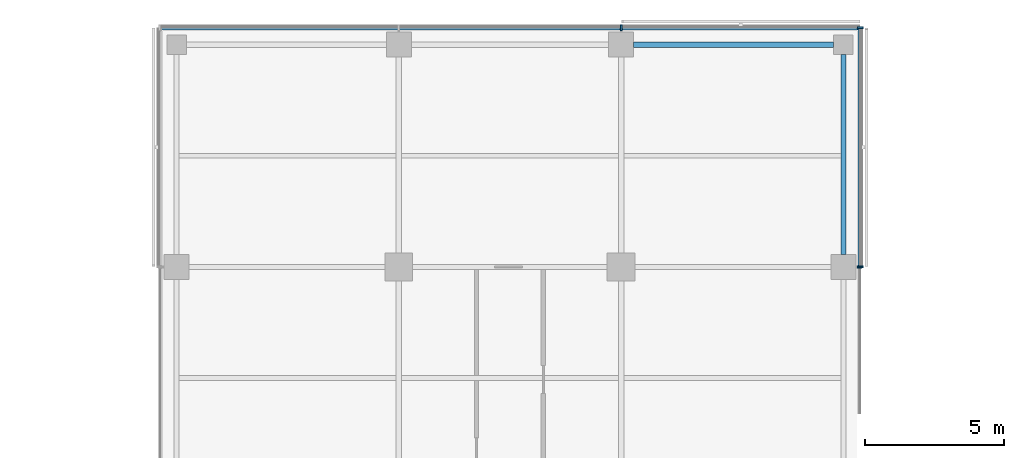
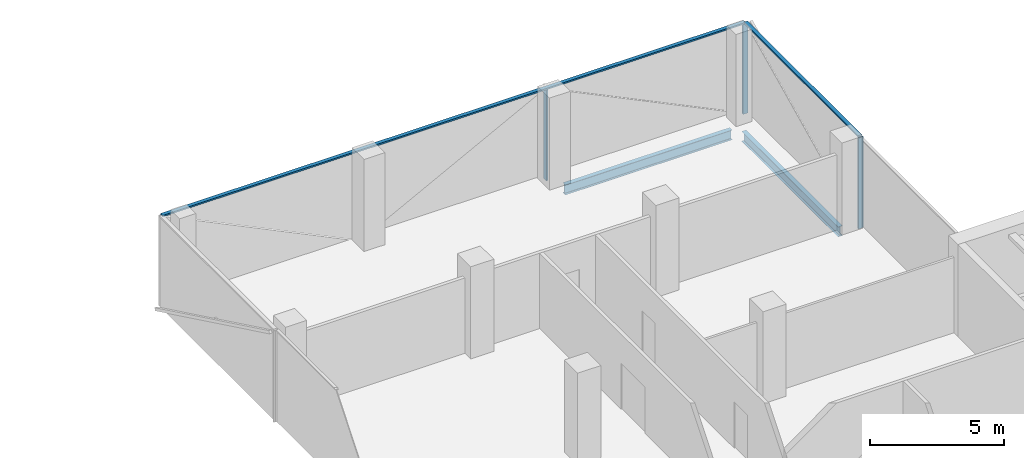
# One storey, part 10 of 22: 6 members, 2 beams, 3 elements without a shape of their own.
"""IFC4 building model written with IfcOpenShell, lengths in metres."""

import ifcopenshell
import ifcopenshell.guid

model = None  # the IFC model being written
_history = None  # IfcOwnerHistory: only IFC2X3 demands one
_inside = {}  # id of a spatial element -> (the spatial element, [elements in it])
_under = {}  # id of a project, library or spatial element -> (it, [spatial elements below it])
_declared = {}  # id of a project -> (the project, [libraries it declares])
_typed = {}  # id of a type object -> (the type object, [elements of that type])
_made_of = {}  # id of a material, layer set ... -> (it, [elements and type objects made of it])


def new_model(schema):
    """Start an empty IFC model of exactly this schema.

    Asked for "IFC4X3", IfcOpenShell would pick the latest addendum, in which some entities
    have other attributes; the version numbers below select the first issue.
    IFC2X3 requires an IfcOwnerHistory on every rooted entity: one is made here for all.
    """
    global model, _history
    if schema == "IFC4X3":
        model = ifcopenshell.file(schema_version=(4, 3, 0, 0))
    else:
        model = ifcopenshell.file(schema=schema)
    _inside.clear()
    _under.clear()
    _declared.clear()
    _typed.clear()
    _made_of.clear()
    _history = None
    if model.schema == "IFC2X3":
        org = make("IfcOrganization", Name="unknown")
        user = make(
            "IfcPersonAndOrganization",
            ThePerson=make("IfcPerson", FamilyName="unknown"),
            TheOrganization=org,
        )
        app = make(
            "IfcApplication",
            ApplicationDeveloper=org,
            Version="unknown",
            ApplicationFullName="unknown",
            ApplicationIdentifier="unknown",
        )
        _history = make(
            "IfcOwnerHistory",
            OwningUser=user,
            OwningApplication=app,
            ChangeAction="ADDED",
            CreationDate=0,
        )
    return model


def make(cls, **values):
    """One entity of the class cls with the attributes given. An attribute that is None is left unset."""
    return model.create_entity(
        cls, **{name: value for name, value in values.items() if value is not None}
    )


def rooted(cls, **values):
    """An entity with a GlobalId (a new one), such as an element, a storey or a relation."""
    return make(cls, GlobalId=ifcopenshell.guid.new(), OwnerHistory=_history, **values)


def si_unit(unit_type, name, prefix=None):
    """IfcSIUnit, for example si_unit("LENGTHUNIT", "METRE", prefix="MILLI")."""
    return make("IfcSIUnit", UnitType=unit_type, Prefix=prefix, Name=name)


def assignment(units):
    """IfcUnitAssignment: the units of a project."""
    return None if units is None else make("IfcUnitAssignment", Units=units)


def point(xyz):
    """IfcCartesianPoint."""
    return None if xyz is None else make("IfcCartesianPoint", Coordinates=xyz)


def direction(xyz):
    """IfcDirection."""
    return None if xyz is None else make("IfcDirection", DirectionRatios=xyz)


def frame(location, z_axis=None, x_axis=None):
    """IfcAxis2Placement3D, a coordinate frame: its origin and axes. An axis left out is left unset."""
    return make(
        "IfcAxis2Placement3D",
        Location=point(location),
        Axis=direction(z_axis),
        RefDirection=direction(x_axis),
    )


def frame_2d(location, x_axis=None):
    """IfcAxis2Placement2D, a coordinate frame in the plane: its origin and x axis."""
    return make(
        "IfcAxis2Placement2D", Location=point(location), RefDirection=direction(x_axis)
    )


def origin():
    """The frame at (0, 0, 0) with its axes left unset."""
    return frame((0.0, 0.0, 0.0))


def origin_2d():
    """The frame at (0, 0) in the plane with its x axis left unset."""
    return frame_2d((0.0, 0.0))


def place(relative_to, where):
    """IfcLocalPlacement: puts the frame where relative to a parent placement (None: the world)."""
    return make(
        "IfcLocalPlacement", PlacementRelTo=relative_to, RelativePlacement=where
    )


def context(
    kind, dimensions, precision=None, world=None, true_north=None, identifier=None
):
    """IfcGeometricRepresentationContext, for example the 3D "Model" context."""
    return make(
        "IfcGeometricRepresentationContext",
        ContextIdentifier=identifier,
        ContextType=kind,
        CoordinateSpaceDimension=dimensions,
        Precision=precision,
        WorldCoordinateSystem=world,
        TrueNorth=true_north,
    )


def subcontext(parent, identifier, kind, view, scale=None):
    """IfcGeometricRepresentationSubContext, for example "Body" below "Model"."""
    return make(
        "IfcGeometricRepresentationSubContext",
        ContextIdentifier=identifier,
        ContextType=kind,
        ParentContext=parent,
        TargetScale=scale,
        TargetView=view,
    )


def project(units=None, contexts=None):
    """IfcProject with its units and contexts."""
    return rooted(
        "IfcProject",
        Name="project",
        RepresentationContexts=contexts,
        UnitsInContext=assignment(units),
    )


def spatial(cls, under=None, at=None, **own):
    """A site, building, storey or space (cls), placed at a placement, below another one or the project."""
    s = rooted(cls, ObjectPlacement=at, **own)
    if under is not None:
        _under.setdefault(under.id(), (under, []))[1].append(s)
    return s


def profile(cls, at=None, kind="AREA", **sizes):
    """A parametric profile (cls). Its sizes go by their IFC names, for example OverallWidth=200.0."""
    return make(cls, ProfileType=kind, Position=at, **sizes)


def rectangle(**sizes):
    """IfcRectangleProfileDef."""
    return profile("IfcRectangleProfileDef", **sizes)


def i_section(**sizes):
    """IfcIShapeProfileDef."""
    return profile("IfcIShapeProfileDef", **sizes)


def extrude(swept, where, along, depth):
    """IfcExtrudedAreaSolid: the profile swept, set in the frame where, extruded along a direction by depth."""
    return make(
        "IfcExtrudedAreaSolid",
        SweptArea=swept,
        Position=where,
        ExtrudedDirection=direction(along),
        Depth=depth,
    )


def shape(context_of_items, identifier, shape_type, items):
    """IfcShapeRepresentation: the items that make up one representation, for example the "Body"."""
    return make(
        "IfcShapeRepresentation",
        ContextOfItems=context_of_items,
        RepresentationIdentifier=identifier,
        RepresentationType=shape_type,
        Items=items,
    )


def material(Name=None, Category=None):
    """IfcMaterial."""
    return make("IfcMaterial", Name=Name, Category=Category)


def material_profile(
    of_material, cross_section, Name=None, Category=None, Priority=None
):
    """IfcMaterialProfile: a cross section and its material."""
    return make(
        "IfcMaterialProfile",
        Name=Name,
        Material=of_material,
        Profile=cross_section,
        Priority=Priority,
        Category=Category,
    )


def profile_set(profiles, Name=None, composite=None):
    """IfcMaterialProfileSet."""
    return make(
        "IfcMaterialProfileSet",
        Name=Name,
        MaterialProfiles=profiles,
        CompositeProfile=composite,
    )


def made_of(thing, what):
    """Note that an element or type object is made of a material, layer set ...; save() writes the relation."""
    if what is not None:
        _made_of.setdefault(what.id(), (what, []))[1].append(thing)
    return thing


def type_object(cls, material=None, **own):
    """A type object (cls), such as IfcWallType, which elements share."""
    return made_of(rooted(cls, **own), material)


def element(
    cls,
    number,
    at=None,
    inside=None,
    cuts=None,
    type_object=None,
    material=None,
    context=None,
    identifier="Body",
    shape_type=None,
    held_by="IfcProductDefinitionShape",
    body=None,
    shapes=None,
    **own,
):
    """One element of the class cls, such as IfcWall. Its Tag is "e" and its number.

    at: its placement. inside: the storey or other place that contains it. cuts: it is an
    opening in that element (IfcRelVoidsElement). A single representation is given by context,
    identifier, shape_type and body (its items); several are given by shapes. held_by: the class
    of the entity that holds the representations. save() writes the other relations.
    """
    e = rooted(cls, Tag="e%d" % number, ObjectPlacement=at, **own)
    if body is not None:
        shapes = [shape(context, identifier, shape_type, body)]
    if shapes is not None:
        e.Representation = make(held_by, Representations=shapes)
    if inside is not None:
        _inside.setdefault(inside.id(), (inside, []))[1].append(e)
    if cuts is not None:
        rooted(
            "IfcRelVoidsElement", RelatingBuildingElement=cuts, RelatedOpeningElement=e
        )
    if type_object is not None:
        _typed.setdefault(type_object.id(), (type_object, []))[1].append(e)
    return made_of(e, material)


def aggregate(whole, parts):
    """IfcRelAggregates: a whole, such as a stair, and the parts it consists of."""
    return rooted("IfcRelAggregates", RelatingObject=whole, RelatedObjects=parts)


def save(model, path):
    """Write the relations noted so far, then the file.

    IfcRelAggregates (storeys below a building ...), IfcRelContainedInSpatialStructure (elements
    in a storey), IfcRelDefinesByType, IfcRelAssociatesMaterial and IfcRelDeclares: one each for
    every whole, place, type object, material and project.
    """
    for whole, parts in _under.values():
        aggregate(whole, parts)
    for where, things in _inside.values():
        rooted(
            "IfcRelContainedInSpatialStructure",
            RelatedElements=things,
            RelatingStructure=where,
        )
    for kind, things in _typed.values():
        rooted("IfcRelDefinesByType", RelatedObjects=things, RelatingType=kind)
    for what, things in _made_of.values():
        rooted("IfcRelAssociatesMaterial", RelatedObjects=things, RelatingMaterial=what)
    for by, libraries in _declared.values():
        rooted("IfcRelDeclares", RelatingContext=by, RelatedDefinitions=libraries)
    model.write(path)


model = new_model("IFC4")

# Units and contexts
model_context = context("Model", 3, precision=1e-05, world=origin(), true_north=direction((0.0, 1.0)))
body_context = subcontext(model_context, "Body", "Model", "MODEL_VIEW")
ifc_project = project(units=[si_unit("LENGTHUNIT", "METRE"), si_unit("AREAUNIT", "SQUARE_METRE"), si_unit("VOLUMEUNIT", "CUBIC_METRE"), si_unit("PLANEANGLEUNIT", "RADIAN"), si_unit("MASSUNIT", "GRAM", prefix="KILO")], contexts=[model_context])

# Site, building, storey
site_placement = place(None, origin())
site = spatial("IfcSite", under=ifc_project, at=site_placement, CompositionType="ELEMENT")
building_placement = place(site_placement, origin())
building = spatial("IfcBuilding", under=site, at=building_placement, Name="Crosswind Convention Tower", CompositionType="ELEMENT")
storey_placement = place(building_placement, frame((0.0, 0.0, 146.300048828125)))
storey = spatial("IfcBuildingStorey", under=building, at=storey_placement, Name="L30", CompositionType="ELEMENT", Elevation=146.300048828125)

# Beams
ifc_material_1 = material(Name="Steel S355", Category="steel")
ifc_material_profile_1 = material_profile(ifc_material_1, i_section(OverallWidth=0.18994140625, OverallDepth=0.45361328125, WebThickness=0.008544921875, FlangeThickness=0.0126953125, FilletRadius=0.01025390625, at=origin_2d()), Name="UB 457x191x67")
ifc_profile_set_1 = profile_set([ifc_material_profile_1], Name="Steel S355")
beam_type = type_object("IfcBeamType", Name="Edge beam UB 457x191x67", PredefinedType="SPANDREL", material=ifc_profile_set_1)
for number, where, z_axis, x_axis, name in (
    (1, (129.449951171875, 128.0, -0.52685546875), (1.0, 0.0, 0.0), (0.0, 1.0, 0.0), "B16 L30 edge beam 15"),
    (2, (137.0, 120.449951171875, -0.52685546875), (0.0, 1.0, 0.0), (-1.0, 0.0, 0.0), "B16 L30 edge beam 19"),
):
    element("IfcBeam", number, at=place(storey_placement, frame(where, z_axis=z_axis, x_axis=x_axis)), inside=storey, type_object=beam_type, Name=name, PredefinedType="SPANDREL", context=body_context, shape_type="SweptSolid", body=[
        extrude(i_section(OverallWidth=0.18994140625, OverallDepth=0.45361328125, WebThickness=0.008544921875, FlangeThickness=0.0126953125, FilletRadius=0.01025390625, at=origin_2d()), origin(), (0.0, 0.0, 1.0), 7.199951171875),
    ])

# Curtain wall, member
ifc_material_2 = material(Name="Aluminium unitised curtain wall", Category="aluminium")
curtain_wall_type_1 = type_object("IfcCurtainWallType", Name="CORE END SLOT WALL 160", PredefinedType="USERDEFINED", material=ifc_material_2)
curtain_wall_1_placement = place(storey_placement, origin())
curtain_wall_1 = element("IfcCurtainWall", 3, at=curtain_wall_1_placement, inside=storey, type_object=curtain_wall_type_1, Name="CW6 L30 N-E.1-1 slot", ObjectType="UNITISED", PredefinedType="USERDEFINED")
ifc_material_3 = material(Name="Aluminium mullion", Category="aluminium")
ifc_material_profile_2 = material_profile(ifc_material_3, rectangle(XDim=0.159912109375, YDim=0.050048828125, at=origin_2d()), Name="AL 160X50")
ifc_profile_set_2 = profile_set([ifc_material_profile_2], Name="Aluminium mullion")
member_type_1 = type_object("IfcMemberType", Name="MULLION 50X160", PredefinedType="MULLION", material=ifc_profile_set_2)
member_1_placement = place(storey_placement, frame((137.580078125, 119.97509765625, -0.300048828125), z_axis=(0.0, 0.0, 1.0), x_axis=(1.0, 0.0, 0.0)))
member_1 = element("IfcMember", 4, at=member_1_placement, type_object=member_type_1, Name="CW6 mullion 2", PredefinedType="MULLION", context=body_context, shape_type="SweptSolid", body=[
    extrude(rectangle(XDim=0.159912109375, YDim=0.050048828125, at=origin_2d()), origin(), (0.0, 0.0, 1.0), 4.14990234375),
])
aggregate(curtain_wall_1, [member_1])

# Curtain wall, members
curtain_wall_type_2 = type_object("IfcCurtainWallType", Name="OFFICE UNITISED WALL 220", PredefinedType="USERDEFINED", material=ifc_material_2)
curtain_wall_2_placement = place(storey_placement, origin())
curtain_wall_2 = element("IfcCurtainWall", 5, at=curtain_wall_2_placement, inside=storey, type_object=curtain_wall_type_2, Name="CW3 L30 N-E 1", ObjectType="UNITISED", PredefinedType="USERDEFINED")
ifc_material_profile_3 = material_profile(ifc_material_3, rectangle(XDim=0.219970703125, YDim=0.070068359375, at=origin_2d()), Name="AL 220X70")
ifc_profile_set_3 = profile_set([ifc_material_profile_3], Name="Aluminium mullion")
member_type_2 = type_object("IfcMemberType", Name="MULLION 70X220", PredefinedType="MULLION", material=ifc_profile_set_3)
member_2_placement = place(storey_placement, frame((137.610107421875, 120.0, -0.300048828125), z_axis=(0.0, 0.0, 1.0), x_axis=(1.0, 0.0, 0.0)))
member_2 = element("IfcMember", 6, at=member_2_placement, type_object=member_type_2, Name="CW3 mullion 1", PredefinedType="MULLION", context=body_context, shape_type="SweptSolid", body=[
    extrude(rectangle(XDim=0.219970703125, YDim=0.070068359375, at=origin_2d()), origin(), (0.0, 0.0, 1.0), 4.1298828125),
])
member_3_placement = place(storey_placement, frame((137.610107421875, 128.610107421875, -0.300048828125), z_axis=(0.0, 0.0, 1.0), x_axis=(1.0, 0.0, 0.0)))
member_3 = element("IfcMember", 7, at=member_3_placement, type_object=member_type_2, Name="CW3 mullion 2", PredefinedType="MULLION", context=body_context, shape_type="SweptSolid", body=[
    extrude(rectangle(XDim=0.219970703125, YDim=0.070068359375, at=origin_2d()), origin(), (0.0, 0.0, 1.0), 4.1298828125),
])

# Curtain wall, member
curtain_wall_3_placement = place(storey_placement, origin())
curtain_wall_3 = element("IfcCurtainWall", 8, at=curtain_wall_3_placement, inside=storey, type_object=curtain_wall_type_2, Name="CW3 L30 N-TIP 1", ObjectType="UNITISED", PredefinedType="USERDEFINED")
member_4_placement = place(storey_placement, frame((129.0, 128.610107421875, -0.300048828125), z_axis=(0.0, 0.0, 1.0), x_axis=(0.0, 1.0, 0.0)))
member_4 = element("IfcMember", 9, at=member_4_placement, type_object=member_type_2, Name="CW3 mullion 2", PredefinedType="MULLION", context=body_context, shape_type="SweptSolid", body=[
    extrude(rectangle(XDim=0.219970703125, YDim=0.070068359375, at=origin_2d()), origin(), (0.0, 0.0, 1.0), 4.1298828125),
])

# Member
ifc_material_4 = material(Name="Aluminium transom", Category="aluminium")
ifc_material_profile_4 = material_profile(ifc_material_4, rectangle(XDim=0.159912109375, YDim=0.070068359375, at=origin_2d()), Name="AL 160X70")
ifc_profile_set_4 = profile_set([ifc_material_profile_4], Name="Aluminium transom")
member_type_3 = type_object("IfcMemberType", Name="TRANSOM 70X160", PredefinedType="USERDEFINED", material=ifc_profile_set_4)
member_5_placement = place(storey_placement, frame((137.610107421875, 120.034912109375, 3.864990234375), z_axis=(0.0, 1.0, 0.0), x_axis=(-1.0, 0.0, 0.0)))
member_5 = element("IfcMember", 10, at=member_5_placement, type_object=member_type_3, Name="CW3 transom", ObjectType="TRANSOM", PredefinedType="USERDEFINED", context=body_context, shape_type="SweptSolid", body=[
    extrude(rectangle(XDim=0.159912109375, YDim=0.070068359375, at=origin_2d()), origin(), (0.0, 0.0, 1.0), 8.5400390625),
])

aggregate(curtain_wall_2, [member_2, member_3, member_5])

member_6_placement = place(storey_placement, frame((137.574951171875, 128.610107421875, 3.864990234375), z_axis=(-1.0, 0.0, 0.0), x_axis=(0.0, -1.0, 0.0)))
member_6 = element("IfcMember", 11, at=member_6_placement, type_object=member_type_3, Name="CW3 transom", ObjectType="TRANSOM", PredefinedType="USERDEFINED", context=body_context, shape_type="SweptSolid", body=[
    extrude(rectangle(XDim=0.159912109375, YDim=0.070068359375, at=origin_2d()), origin(), (0.0, 0.0, 1.0), 25.14990234375),
])

aggregate(curtain_wall_3, [member_4, member_6])

save(model, "model.ifc")
